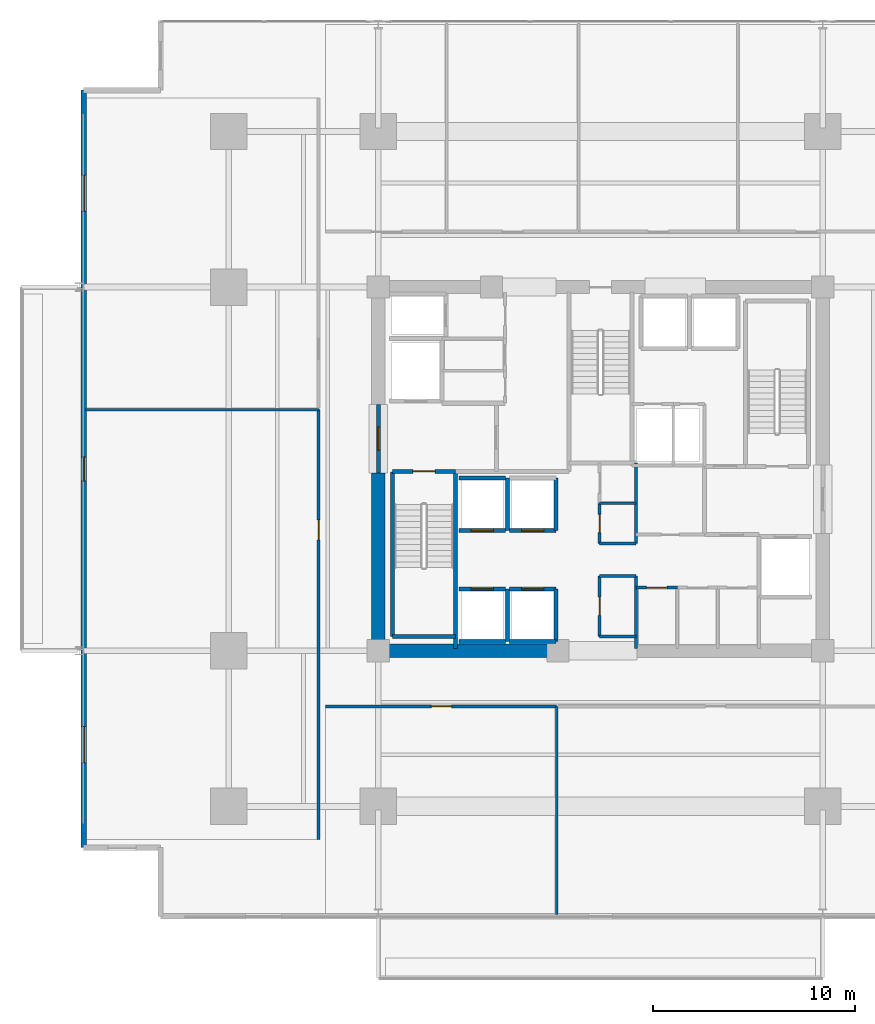
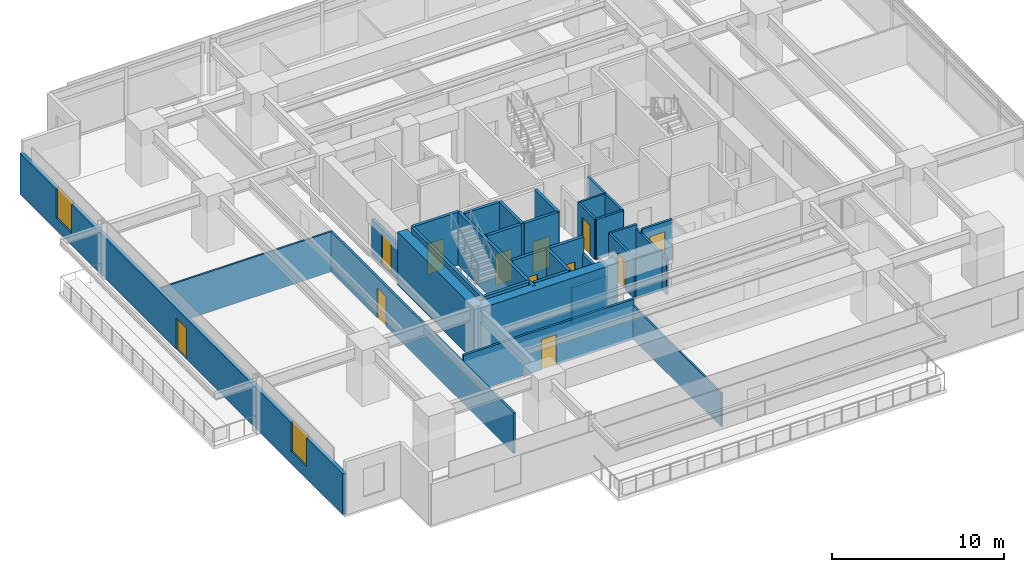
# One storey, part 14 of 22: 32 walls, 12 doors, 2 windows, 14 openings.
"""IFC4 building model written with IfcOpenShell, lengths in metres."""

from ifc_helpers import new_model, si_unit, direction, frame, frame_2d, origin, place, context, subcontext, project, spatial, rectangle, extrude, material, layer, layer_set, type_object, element, fill, save


model = new_model("IFC4")

# Units and contexts
model_context = context("Model", 3, precision=1e-05, world=origin(), true_north=direction((0.0, 1.0)))
body_context = subcontext(model_context, "Body", "Model", "MODEL_VIEW")
ifc_project = project(units=[si_unit("LENGTHUNIT", "METRE"), si_unit("AREAUNIT", "SQUARE_METRE"), si_unit("VOLUMEUNIT", "CUBIC_METRE"), si_unit("PLANEANGLEUNIT", "RADIAN"), si_unit("MASSUNIT", "GRAM", prefix="KILO")], contexts=[model_context])

# Site, building, storey
site_placement = place(None, origin())
site = spatial("IfcSite", under=ifc_project, at=site_placement, CompositionType="ELEMENT")
building_placement = place(site_placement, origin())
building = spatial("IfcBuilding", under=site, at=building_placement, Name="Kovane Verandah Tower", CompositionType="ELEMENT")
storey_placement = place(building_placement, frame((0.0, 0.0, 51.60009765625)))
storey = spatial("IfcBuildingStorey", under=building, at=storey_placement, Name="L11", CompositionType="ELEMENT", Elevation=51.60009765625)

# Walls
ifc_material_1 = material(Name="Fire-Rated Gypsum Stud Partition", Category="gypsum")
ifc_layer_1 = layer(ifc_material_1, 0.14990234375)
ifc_layer_set_1 = layer_set([ifc_layer_1], Name="Fire-Rated Gypsum Stud Partition")
wall_type_1 = type_object("IfcWallType", Name="WL-COR-150", PredefinedType="PARTITIONING", material=ifc_layer_set_1)
for number, where, z_axis, x_axis, name in (
    (1, (39.949951171875, 19.199951171875, 0.0), (0.0, 0.0, 1.0), (1.0, 0.0, 0.0), "L11 Central Core Strip South Wall"),
    (2, (39.949951171875, 22.199951171875, 0.0), (0.0, 0.0, 1.0), (1.0, 0.0, 0.0), "L11 Core Cross-Passage South Wall"),
    (3, (39.949951171875, 23.800048828125, 0.0), (0.0, 0.0, 1.0), (1.0, 0.0, 0.0), "L11 Core Cross-Passage North Wall"),
):
    element("IfcWall", number, at=place(storey_placement, frame(where, z_axis=z_axis, x_axis=x_axis)), inside=storey, type_object=wall_type_1, Name=name, PredefinedType="PARTITIONING", context=body_context, shape_type="SweptSolid", body=[
        extrude(rectangle(XDim=1.81005859375, YDim=0.14990234375, at=frame_2d((0.905029296875, 0.0))), origin(), (0.0, 0.0, 1.0), 2.849853515625),
    ])
wall_1_placement = place(storey_placement, frame((41.760009765625, 18.60009765625, 0.0), z_axis=(0.0, 0.0, 1.0), x_axis=(0.0, 1.0, 0.0)))
element("IfcWall", 4, at=wall_1_placement, inside=storey, type_object=wall_type_1, Name="L11 Central Core Strip Lower East Wall", PredefinedType="PARTITIONING", context=body_context, shape_type="SweptSolid", body=[
    extrude(rectangle(XDim=3.599853515625, YDim=0.14990234375, at=frame_2d((1.7998046875, 0.0))), origin(), (0.0, 0.0, 1.0), 2.539794921875),
])
wall_2_placement = place(storey_placement, frame((41.760009765625, 23.800048828125, 0.0), z_axis=(0.0, 0.0, 1.0), x_axis=(0.0, 1.0, 0.0)))
element("IfcWall", 5, at=wall_2_placement, inside=storey, type_object=wall_type_1, Name="L11 Central Core Strip Upper East Wall", PredefinedType="PARTITIONING", context=body_context, shape_type="SweptSolid", body=[
    extrude(rectangle(XDim=4.0, YDim=0.14990234375, at=frame_2d((2.0, 0.0))), origin(), (0.0, 0.0, 1.0), 2.849853515625),
])

# Wall, opening, door
wall_3_placement = place(storey_placement, frame((39.949951171875, 19.199951171875, 0.0), z_axis=(0.0, 0.0, 1.0), x_axis=(0.0, 1.0, 0.0)))
wall_3 = element("IfcWall", 6, at=wall_3_placement, inside=storey, type_object=wall_type_1, Name="L11 Male Toilet Partition", PredefinedType="PARTITIONING", context=body_context, shape_type="SweptSolid", body=[
    extrude(rectangle(XDim=3.0, YDim=0.14990234375, at=frame_2d((1.5, 0.0))), origin(), (0.0, 0.0, 1.0), 2.849853515625),
])
opening_1_placement = place(wall_3_placement, frame((1.050048828125, 0.0, 0.0)))
opening_1 = element("IfcOpeningElement", 7, at=opening_1_placement, cuts=wall_3, Name="Opening DR-L11-031", PredefinedType="OPENING", context=body_context, shape_type="SweptSolid", body=[
    extrude(rectangle(XDim=0.89990234375, YDim=2.10009765625, at=frame_2d((0.449951171875, 1.050048828125))), frame((0.0, 0.074951171875, 0.0), z_axis=(0.0, -1.0, 0.0), x_axis=(1.0, 0.0, 0.0)), (0.0, 0.0, 1.0), 0.14990234375),
])
ifc_material_2 = material(Name="Moisture-Resistant Laminate Washroom Door", Category="wood")
door_type_1 = type_object("IfcDoorType", Name="DR-WC-900", OperationType="SINGLE_SWING_LEFT", PredefinedType="DOOR", material=ifc_material_2)
door_1_placement = place(opening_1_placement, origin())
door_1 = element("IfcDoor", 8, at=door_1_placement, inside=storey, type_object=door_type_1, Name="L11 Male Toilet Door", OperationType="SINGLE_SWING_LEFT", OverallHeight=2.10009765625, OverallWidth=0.89990234375, PredefinedType="DOOR", context=body_context, shape_type="SweptSolid", body=[
    extrude(rectangle(XDim=0.89990234375, YDim=2.10009765625, at=frame_2d((0.449951171875, 1.050048828125))), frame((0.0, 0.02490234375, 0.0), z_axis=(0.0, -1.0, 0.0), x_axis=(1.0, 0.0, 0.0)), (0.0, 0.0, 1.0), 0.050048828125),
])
fill(opening_1, door_1)

wall_4_placement = place(storey_placement, frame((39.949951171875, 23.800048828125, 0.0), z_axis=(0.0, 0.0, 1.0), x_axis=(0.0, 1.0, 0.0)))
wall_4 = element("IfcWall", 9, at=wall_4_placement, inside=storey, type_object=wall_type_1, Name="L11 Female Toilet Partition", PredefinedType="PARTITIONING", context=body_context, shape_type="SweptSolid", body=[
    extrude(rectangle(XDim=2.0, YDim=0.14990234375, at=frame_2d((1.0, 0.0))), origin(), (0.0, 0.0, 1.0), 2.849853515625),
])
opening_2_placement = place(wall_4_placement, frame((0.550048828125, 0.0, 0.0)))
opening_2 = element("IfcOpeningElement", 10, at=opening_2_placement, cuts=wall_4, Name="Opening DR-L11-030", PredefinedType="OPENING", context=body_context, shape_type="SweptSolid", body=[
    extrude(rectangle(XDim=0.89990234375, YDim=2.10009765625, at=frame_2d((0.449951171875, 1.050048828125))), frame((0.0, 0.074951171875, 0.0), z_axis=(0.0, -1.0, 0.0), x_axis=(1.0, 0.0, 0.0)), (0.0, 0.0, 1.0), 0.14990234375),
])
door_2_placement = place(opening_2_placement, origin())
door_2 = element("IfcDoor", 11, at=door_2_placement, inside=storey, type_object=door_type_1, Name="L11 Female Toilet Door", OperationType="SINGLE_SWING_RIGHT", OverallHeight=2.10009765625, OverallWidth=0.89990234375, PredefinedType="DOOR", context=body_context, shape_type="SweptSolid", body=[
    extrude(rectangle(XDim=0.89990234375, YDim=2.10009765625, at=frame_2d((0.449951171875, 1.050048828125))), frame((0.0, 0.02490234375, 0.0), z_axis=(0.0, -1.0, 0.0), x_axis=(1.0, 0.0, 0.0)), (0.0, 0.0, 1.0), 0.050048828125),
])
fill(opening_2, door_2)

wall_5_placement = place(storey_placement, frame((41.760009765625, 21.6201171875, 0.0), z_axis=(0.0, 0.0, 1.0), x_axis=(1.0, 0.0, 0.0)))
wall_5 = element("IfcWall", 12, at=wall_5_placement, inside=storey, type_object=wall_type_1, Name="L11 Mail and Copy Room Partition", PredefinedType="PARTITIONING", context=body_context, shape_type="SweptSolid", body=[
    extrude(rectangle(XDim=2.0400390625, YDim=0.14990234375, at=frame_2d((1.02001953125, 0.0))), origin(), (0.0, 0.0, 1.0), 2.849853515625),
])
opening_3_placement = place(wall_5_placement, frame((0.52001953125, 0.0, 0.0)))
opening_3 = element("IfcOpeningElement", 13, at=opening_3_placement, cuts=wall_5, Name="Opening DR-L11-016", PredefinedType="OPENING", context=body_context, shape_type="SweptSolid", body=[
    extrude(rectangle(XDim=1.0, YDim=2.14990234375, at=frame_2d((0.5, 1.074951171875))), frame((0.0, 0.074951171875, 0.0), z_axis=(0.0, -1.0, 0.0), x_axis=(1.0, 0.0, 0.0)), (0.0, 0.0, 1.0), 0.14990234375),
])
ifc_material_3 = material(Name="FSC Spotted-Gum Timber Fire-Rated Office Door", Category="wood")
door_type_2 = type_object("IfcDoorType", Name="DR-OFF-1000", OperationType="SINGLE_SWING_LEFT", PredefinedType="DOOR", material=ifc_material_3)
door_3_placement = place(opening_3_placement, origin())
door_3 = element("IfcDoor", 14, at=door_3_placement, inside=storey, type_object=door_type_2, Name="L11 Mail and Copy Room Door", OperationType="SINGLE_SWING_LEFT", OverallHeight=2.14990234375, OverallWidth=1.0, PredefinedType="DOOR", context=body_context, shape_type="SweptSolid", body=[
    extrude(rectangle(XDim=1.0, YDim=2.14990234375, at=frame_2d((0.5, 1.074951171875))), frame((0.0, 0.02490234375, 0.0), z_axis=(0.0, -1.0, 0.0), x_axis=(1.0, 0.0, 0.0)), (0.0, 0.0, 1.0), 0.050048828125),
])
fill(opening_3, door_3)

wall_6_placement = place(storey_placement, frame((26.39990234375, 15.75, 0.0), z_axis=(0.0, 0.0, 1.0), x_axis=(1.0, 0.0, 0.0)))
wall_6 = element("IfcWall", 15, at=wall_6_placement, inside=storey, type_object=wall_type_1, Name="L11 Collaboration Hub S1 Corridor Partition", PredefinedType="PARTITIONING", context=body_context, shape_type="SweptSolid", body=[
    extrude(rectangle(XDim=11.424072265625, YDim=0.14990234375, at=frame_2d((5.7119140625, 0.0))), origin(), (0.0, 0.0, 1.0), 2.849853515625),
])
opening_4_placement = place(wall_6_placement, frame((5.22705078125, 0.0, 0.0)))
opening_4 = element("IfcOpeningElement", 16, at=opening_4_placement, cuts=wall_6, Name="Opening DR-L11-026", PredefinedType="OPENING", context=body_context, shape_type="SweptSolid", body=[
    extrude(rectangle(XDim=1.0, YDim=2.14990234375, at=frame_2d((0.5, 1.074951171875))), frame((0.0, 0.074951171875, 0.0), z_axis=(0.0, -1.0, 0.0), x_axis=(1.0, 0.0, 0.0)), (0.0, 0.0, 1.0), 0.14990234375),
])
door_4_placement = place(opening_4_placement, origin())
door_4 = element("IfcDoor", 17, at=door_4_placement, inside=storey, type_object=door_type_2, Name="L11 Collaboration Hub S1 Entrance Door", OperationType="SINGLE_SWING_LEFT", OverallHeight=2.14990234375, OverallWidth=1.0, PredefinedType="DOOR", context=body_context, shape_type="SweptSolid", body=[
    extrude(rectangle(XDim=1.0, YDim=2.14990234375, at=frame_2d((0.5, 1.074951171875))), frame((0.0, 0.02490234375, 0.0), z_axis=(0.0, -1.0, 0.0), x_axis=(1.0, 0.0, 0.0)), (0.0, 0.0, 1.0), 0.050048828125),
])
fill(opening_4, door_4)

wall_7_placement = place(storey_placement, frame((26.050048828125, 9.15380859375, 0.0), z_axis=(0.0, 0.0, 1.0), x_axis=(0.0, 1.0, 0.0)))
wall_7 = element("IfcWall", 18, at=wall_7_placement, inside=storey, type_object=wall_type_1, Name="L11 Open Plan Office W1 Corridor Partition", PredefinedType="PARTITIONING", context=body_context, shape_type="SweptSolid", body=[
    extrude(rectangle(XDim=21.281494140625, YDim=0.14990234375, at=frame_2d((10.640625, 0.0))), origin(), (0.0, 0.0, 1.0), 2.849853515625),
])
opening_5_placement = place(wall_7_placement, frame((14.828857421875, 0.0, 0.0)))
opening_5 = element("IfcOpeningElement", 19, at=opening_5_placement, cuts=wall_7, Name="Opening DR-L11-032", PredefinedType="OPENING", context=body_context, shape_type="SweptSolid", body=[
    extrude(rectangle(XDim=1.0, YDim=2.14990234375, at=frame_2d((0.5, 1.074951171875))), frame((0.0, 0.074951171875, 0.0), z_axis=(0.0, -1.0, 0.0), x_axis=(1.0, 0.0, 0.0)), (0.0, 0.0, 1.0), 0.14990234375),
])
door_5_placement = place(opening_5_placement, origin())
door_5 = element("IfcDoor", 20, at=door_5_placement, inside=storey, type_object=door_type_2, Name="L11 Open Plan Office W1 Entrance Door", OperationType="SINGLE_SWING_LEFT", OverallHeight=2.14990234375, OverallWidth=1.0, PredefinedType="DOOR", context=body_context, shape_type="SweptSolid", body=[
    extrude(rectangle(XDim=1.0, YDim=2.14990234375, at=frame_2d((0.5, 1.074951171875))), frame((0.0, 0.02490234375, 0.0), z_axis=(0.0, -1.0, 0.0), x_axis=(1.0, 0.0, 0.0)), (0.0, 0.0, 1.0), 0.050048828125),
])
fill(opening_5, door_5)

# Walls
ifc_material_4 = material(Name="Concrete C80/95", Category="concrete")
ifc_layer_2 = layer(ifc_material_4, 0.64990234375)
ifc_layer_set_2 = layer_set([ifc_layer_2], Name="Concrete C80/95")
wall_type_2 = type_object("IfcWallType", Name="WL-CORE-650", PredefinedType="SHEAR", material=ifc_layer_set_2)
wall_8_placement = place(storey_placement, frame((29.0, 18.5, 0.0), z_axis=(0.0, 0.0, 1.0), x_axis=(1.0, 0.0, 0.0)))
element("IfcWall", 21, at=wall_8_placement, inside=storey, type_object=wall_type_2, Name="L11 Core Shear Wall CS-1", PredefinedType="SHEAR", context=body_context, shape_type="SweptSolid", body=[
    extrude(rectangle(XDim=9.199951171875, YDim=0.64990234375, at=frame_2d((4.60009765625, 0.0))), origin(), (0.0, 0.0, 1.0), 3.760009765625),
])
wall_9_placement = place(storey_placement, frame((29.0, 18.5, 0.0), z_axis=(0.0, 0.0, 1.0), x_axis=(0.0, 1.0, 0.0)))
element("IfcWall", 22, at=wall_9_placement, inside=storey, type_object=wall_type_2, Name="L11 Core Shear Wall CW-1", PredefinedType="SHEAR", context=body_context, shape_type="SweptSolid", body=[
    extrude(rectangle(XDim=8.800048828125, YDim=0.64990234375, at=frame_2d((4.39990234375, 0.0))), origin(), (0.0, 0.0, 1.0), 3.760009765625),
])

# Wall, opening, door
ifc_material_5 = material(Name="Concrete C45/55 Fire Wall", Category="concrete")
ifc_layer_3 = layer(ifc_material_5, 0.199951171875)
ifc_layer_set_3 = layer_set([ifc_layer_3], Name="Concrete C45/55 Fire Wall")
wall_type_3 = type_object("IfcWallType", Name="WL-FFL-200", PredefinedType="PARTITIONING", material=ifc_layer_set_3)
wall_10_placement = place(storey_placement, frame((29.0, 27.300048828125, 0.0), z_axis=(0.0, 0.0, 1.0), x_axis=(0.0, 1.0, 0.0)))
wall_10 = element("IfcWall", 23, at=wall_10_placement, inside=storey, type_object=wall_type_3, Name="W-L11-FFLW-OUT", PredefinedType="PARTITIONING", context=body_context, shape_type="SweptSolid", body=[
    extrude(rectangle(XDim=3.39990234375, YDim=0.199951171875, at=frame_2d((1.699951171875, 0.0))), origin(), (0.0, 0.0, 1.0), 2.539794921875),
])
opening_6_placement = place(wall_10_placement, frame((1.125, 0.0, 0.0)))
opening_6 = element("IfcOpeningElement", 24, at=opening_6_placement, cuts=wall_10, Name="Opening DR-L11-007", PredefinedType="OPENING", context=body_context, shape_type="SweptSolid", body=[
    extrude(rectangle(XDim=1.14990234375, YDim=2.199951171875, at=frame_2d((0.574951171875, 1.10009765625))), frame((0.0, 0.10009765625, 0.0), z_axis=(0.0, -1.0, 0.0), x_axis=(1.0, 0.0, 0.0)), (0.0, 0.0, 1.0), 0.199951171875),
])
ifc_material_6 = material(Name="Smoke-Sealed Firefighting Lobby Door", Category="steel")
door_type_3 = type_object("IfcDoorType", Name="DR-FFL-1150", OperationType="SINGLE_SWING_LEFT", PredefinedType="DOOR", material=ifc_material_6)
door_6_placement = place(opening_6_placement, origin())
door_6 = element("IfcDoor", 25, at=door_6_placement, inside=storey, type_object=door_type_3, Name="L11 West Firefighting Lobby Corridor Door", OperationType="SINGLE_SWING_RIGHT", OverallHeight=2.199951171875, OverallWidth=1.14990234375, PredefinedType="DOOR", context=body_context, shape_type="SweptSolid", body=[
    extrude(rectangle(XDim=1.14990234375, YDim=2.199951171875, at=frame_2d((0.574951171875, 1.10009765625))), frame((0.0, 0.02490234375, 0.0), z_axis=(0.0, -1.0, 0.0), x_axis=(1.0, 0.0, 0.0)), (0.0, 0.0, 1.0), 0.050048828125),
])
fill(opening_6, door_6)

# Wall
ifc_material_7 = material(Name="Concrete C45/55 Lift Shaft Wall", Category="concrete")
ifc_layer_4 = layer(ifc_material_7, 0.199951171875)
ifc_layer_set_4 = layer_set([ifc_layer_4], Name="Concrete C45/55 Lift Shaft Wall")
wall_type_4 = type_object("IfcWallType", Name="WL-LIFT-200", PredefinedType="SOLIDWALL", material=ifc_layer_set_4)
wall_11_placement = place(storey_placement, frame((33.0, 18.949951171875, 0.0), z_axis=(0.0, 0.0, 1.0), x_axis=(1.0, 0.0, 0.0)))
element("IfcWall", 26, at=wall_11_placement, inside=storey, type_object=wall_type_4, Name="L11 Lift PL-L1 S Shaft Wall", PredefinedType="SOLIDWALL", context=body_context, shape_type="SweptSolid", body=[
    extrude(rectangle(XDim=2.300048828125, YDim=0.199951171875, at=frame_2d((1.14990234375, 0.0))), origin(), (0.0, 0.0, 1.0), 3.760009765625),
])

# Wall, opening, door
wall_12_placement = place(storey_placement, frame((35.300048828125, 21.550048828125, 0.0), z_axis=(0.0, 0.0, 1.0), x_axis=(-1.0, 0.0, 0.0)))
wall_12 = element("IfcWall", 27, at=wall_12_placement, inside=storey, type_object=wall_type_4, Name="L11 Lift PL-L1 N Shaft Wall", PredefinedType="SOLIDWALL", context=body_context, shape_type="SweptSolid", body=[
    extrude(rectangle(XDim=2.300048828125, YDim=0.199951171875, at=frame_2d((1.14990234375, 0.0))), origin(), (0.0, 0.0, 1.0), 3.760009765625),
])
opening_7_placement = place(wall_12_placement, frame((0.60009765625, 0.0, 0.0)))
opening_7 = element("IfcOpeningElement", 28, at=opening_7_placement, cuts=wall_12, Name="Opening LD-L11-004", PredefinedType="OPENING", context=body_context, shape_type="SweptSolid", body=[
    extrude(rectangle(XDim=1.10009765625, YDim=2.199951171875, at=frame_2d((0.550048828125, 1.10009765625))), frame((0.0, 0.10009765625, 0.0), z_axis=(0.0, -1.0, 0.0), x_axis=(1.0, 0.0, 0.0)), (0.0, 0.0, 1.0), 0.199951171875),
])
ifc_material_8 = material(Name="Brushed Stainless Steel Sliding Lift Landing Door", Category="steel")
door_type_4 = type_object("IfcDoorType", Name="DR-LIFT-1100", OperationType="SLIDING_TO_RIGHT", PredefinedType="DOOR", material=ifc_material_8)
door_7_placement = place(opening_7_placement, origin())
door_7 = element("IfcDoor", 29, at=door_7_placement, inside=storey, type_object=door_type_4, Name="L11 Lift PL-L1 Sliding Landing Door", OperationType="SLIDING_TO_RIGHT", OverallHeight=2.199951171875, OverallWidth=1.10009765625, PredefinedType="DOOR", context=body_context, shape_type="SweptSolid", body=[
    extrude(rectangle(XDim=1.10009765625, YDim=2.199951171875, at=frame_2d((0.550048828125, 1.10009765625))), frame((0.0, 0.02490234375, 0.0), z_axis=(0.0, -1.0, 0.0), x_axis=(1.0, 0.0, 0.0)), (0.0, 0.0, 1.0), 0.050048828125),
])
fill(opening_7, door_7)

# Walls
wall_13_placement = place(storey_placement, frame((35.39990234375, 18.949951171875, 0.0), z_axis=(0.0, 0.0, 1.0), x_axis=(0.0, 1.0, 0.0)))
element("IfcWall", 30, at=wall_13_placement, inside=storey, type_object=wall_type_4, Name="L11 Lift PL-L1 and PL-L2 Shared Shaft Wall", PredefinedType="SOLIDWALL", context=body_context, shape_type="SweptSolid", body=[
    extrude(rectangle(XDim=2.60009765625, YDim=0.199951171875, at=frame_2d((1.300048828125, 0.0))), origin(), (0.0, 0.0, 1.0), 3.760009765625),
])
wall_14_placement = place(storey_placement, frame((35.5, 18.949951171875, 0.0), z_axis=(0.0, 0.0, 1.0), x_axis=(1.0, 0.0, 0.0)))
element("IfcWall", 31, at=wall_14_placement, inside=storey, type_object=wall_type_4, Name="L11 Lift PL-L2 S Shaft Wall", PredefinedType="SOLIDWALL", context=body_context, shape_type="SweptSolid", body=[
    extrude(rectangle(XDim=2.300048828125, YDim=0.199951171875, at=frame_2d((1.14990234375, 0.0))), origin(), (0.0, 0.0, 1.0), 2.539794921875),
])

# Wall, opening, door
wall_15_placement = place(storey_placement, frame((37.800048828125, 21.550048828125, 0.0), z_axis=(0.0, 0.0, 1.0), x_axis=(-1.0, 0.0, 0.0)))
wall_15 = element("IfcWall", 32, at=wall_15_placement, inside=storey, type_object=wall_type_4, Name="L11 Lift PL-L2 N Shaft Wall", PredefinedType="SOLIDWALL", context=body_context, shape_type="SweptSolid", body=[
    extrude(rectangle(XDim=2.300048828125, YDim=0.199951171875, at=frame_2d((1.14990234375, 0.0))), origin(), (0.0, 0.0, 1.0), 3.760009765625),
])
opening_8_placement = place(wall_15_placement, frame((0.60009765625, 0.0, 0.0)))
opening_8 = element("IfcOpeningElement", 33, at=opening_8_placement, cuts=wall_15, Name="Opening LD-L11-005", PredefinedType="OPENING", context=body_context, shape_type="SweptSolid", body=[
    extrude(rectangle(XDim=1.10009765625, YDim=2.199951171875, at=frame_2d((0.550048828125, 1.10009765625))), frame((0.0, 0.10009765625, 0.0), z_axis=(0.0, -1.0, 0.0), x_axis=(1.0, 0.0, 0.0)), (0.0, 0.0, 1.0), 0.199951171875),
])
door_8_placement = place(opening_8_placement, origin())
door_8 = element("IfcDoor", 34, at=door_8_placement, inside=storey, type_object=door_type_4, Name="L11 Lift PL-L2 Sliding Landing Door", OperationType="SLIDING_TO_RIGHT", OverallHeight=2.199951171875, OverallWidth=1.10009765625, PredefinedType="DOOR", context=body_context, shape_type="SweptSolid", body=[
    extrude(rectangle(XDim=1.10009765625, YDim=2.199951171875, at=frame_2d((0.550048828125, 1.10009765625))), frame((0.0, 0.02490234375, 0.0), z_axis=(0.0, -1.0, 0.0), x_axis=(1.0, 0.0, 0.0)), (0.0, 0.0, 1.0), 0.050048828125),
])
fill(opening_8, door_8)

# Wall
wall_16_placement = place(storey_placement, frame((37.800048828125, 18.949951171875, 0.0), z_axis=(0.0, 0.0, 1.0), x_axis=(0.0, 1.0, 0.0)))
element("IfcWall", 35, at=wall_16_placement, inside=storey, type_object=wall_type_4, Name="L11 Lift PL-L2 E Shaft Wall", PredefinedType="SOLIDWALL", context=body_context, shape_type="SweptSolid", body=[
    extrude(rectangle(XDim=2.60009765625, YDim=0.199951171875, at=frame_2d((1.300048828125, 0.0))), origin(), (0.0, 0.0, 1.0), 2.539794921875),
])

# Wall, opening, door
wall_17_placement = place(storey_placement, frame((33.0, 24.449951171875, 0.0), z_axis=(0.0, 0.0, 1.0), x_axis=(1.0, 0.0, 0.0)))
wall_17 = element("IfcWall", 36, at=wall_17_placement, inside=storey, type_object=wall_type_4, Name="L11 Lift PL-L3 S Shaft Wall", PredefinedType="SOLIDWALL", context=body_context, shape_type="SweptSolid", body=[
    extrude(rectangle(XDim=2.300048828125, YDim=0.199951171875, at=frame_2d((1.14990234375, 0.0))), origin(), (0.0, 0.0, 1.0), 3.760009765625),
])
opening_9_placement = place(wall_17_placement, frame((0.60009765625, 0.0, 0.0)))
opening_9 = element("IfcOpeningElement", 37, at=opening_9_placement, cuts=wall_17, Name="Opening LD-L11-006", PredefinedType="OPENING", context=body_context, shape_type="SweptSolid", body=[
    extrude(rectangle(XDim=1.10009765625, YDim=2.199951171875, at=frame_2d((0.550048828125, 1.10009765625))), frame((0.0, 0.10009765625, 0.0), z_axis=(0.0, -1.0, 0.0), x_axis=(1.0, 0.0, 0.0)), (0.0, 0.0, 1.0), 0.199951171875),
])
door_9_placement = place(opening_9_placement, origin())
door_9 = element("IfcDoor", 38, at=door_9_placement, inside=storey, type_object=door_type_4, Name="L11 Lift PL-L3 Sliding Landing Door", OperationType="SLIDING_TO_RIGHT", OverallHeight=2.199951171875, OverallWidth=1.10009765625, PredefinedType="DOOR", context=body_context, shape_type="SweptSolid", body=[
    extrude(rectangle(XDim=1.10009765625, YDim=2.199951171875, at=frame_2d((0.550048828125, 1.10009765625))), frame((0.0, 0.02490234375, 0.0), z_axis=(0.0, -1.0, 0.0), x_axis=(1.0, 0.0, 0.0)), (0.0, 0.0, 1.0), 0.050048828125),
])
fill(opening_9, door_9)

# Walls
wall_18_placement = place(storey_placement, frame((35.300048828125, 27.050048828125, 0.0), z_axis=(0.0, 0.0, 1.0), x_axis=(-1.0, 0.0, 0.0)))
element("IfcWall", 39, at=wall_18_placement, inside=storey, type_object=wall_type_4, Name="L11 Lift PL-L3 N Shaft Wall", PredefinedType="SOLIDWALL", context=body_context, shape_type="SweptSolid", body=[
    extrude(rectangle(XDim=2.300048828125, YDim=0.199951171875, at=frame_2d((1.14990234375, 0.0))), origin(), (0.0, 0.0, 1.0), 3.760009765625),
])
wall_19_placement = place(storey_placement, frame((35.39990234375, 24.449951171875, 0.0), z_axis=(0.0, 0.0, 1.0), x_axis=(0.0, 1.0, 0.0)))
element("IfcWall", 40, at=wall_19_placement, inside=storey, type_object=wall_type_4, Name="L11 Lift PL-L3 and PL-L4 Shared Shaft Wall", PredefinedType="SOLIDWALL", context=body_context, shape_type="SweptSolid", body=[
    extrude(rectangle(XDim=2.60009765625, YDim=0.199951171875, at=frame_2d((1.300048828125, 0.0))), origin(), (0.0, 0.0, 1.0), 3.760009765625),
])

# Wall, opening, door
wall_20_placement = place(storey_placement, frame((35.5, 24.449951171875, 0.0), z_axis=(0.0, 0.0, 1.0), x_axis=(1.0, 0.0, 0.0)))
wall_20 = element("IfcWall", 41, at=wall_20_placement, inside=storey, type_object=wall_type_4, Name="L11 Lift PL-L4 S Shaft Wall", PredefinedType="SOLIDWALL", context=body_context, shape_type="SweptSolid", body=[
    extrude(rectangle(XDim=2.300048828125, YDim=0.199951171875, at=frame_2d((1.14990234375, 0.0))), origin(), (0.0, 0.0, 1.0), 3.760009765625),
])
opening_10_placement = place(wall_20_placement, frame((0.60009765625, 0.0, 0.0)))
opening_10 = element("IfcOpeningElement", 42, at=opening_10_placement, cuts=wall_20, Name="Opening LD-L11-007", PredefinedType="OPENING", context=body_context, shape_type="SweptSolid", body=[
    extrude(rectangle(XDim=1.10009765625, YDim=2.199951171875, at=frame_2d((0.550048828125, 1.10009765625))), frame((0.0, 0.10009765625, 0.0), z_axis=(0.0, -1.0, 0.0), x_axis=(1.0, 0.0, 0.0)), (0.0, 0.0, 1.0), 0.199951171875),
])
door_10_placement = place(opening_10_placement, origin())
door_10 = element("IfcDoor", 43, at=door_10_placement, inside=storey, type_object=door_type_4, Name="L11 Lift PL-L4 Sliding Landing Door", OperationType="SLIDING_TO_RIGHT", OverallHeight=2.199951171875, OverallWidth=1.10009765625, PredefinedType="DOOR", context=body_context, shape_type="SweptSolid", body=[
    extrude(rectangle(XDim=1.10009765625, YDim=2.199951171875, at=frame_2d((0.550048828125, 1.10009765625))), frame((0.0, 0.02490234375, 0.0), z_axis=(0.0, -1.0, 0.0), x_axis=(1.0, 0.0, 0.0)), (0.0, 0.0, 1.0), 0.050048828125),
])
fill(opening_10, door_10)

# Walls
wall_21_placement = place(storey_placement, frame((37.800048828125, 24.449951171875, 0.0), z_axis=(0.0, 0.0, 1.0), x_axis=(0.0, 1.0, 0.0)))
element("IfcWall", 44, at=wall_21_placement, inside=storey, type_object=wall_type_4, Name="L11 Lift PL-L4 E Shaft Wall", PredefinedType="SOLIDWALL", context=body_context, shape_type="SweptSolid", body=[
    extrude(rectangle(XDim=2.60009765625, YDim=0.199951171875, at=frame_2d((1.300048828125, 0.0))), origin(), (0.0, 0.0, 1.0), 3.760009765625),
])
ifc_material_9 = material(Name="Acoustic Fire-Rated Gypsum Partition", Category="gypsum")
ifc_layer_5 = layer(ifc_material_9, 0.1201171875)
ifc_layer_set_5 = layer_set([ifc_layer_5], Name="Acoustic Fire-Rated Gypsum Partition")
wall_type_5 = type_object("IfcWallType", Name="WL-PART-120", PredefinedType="PARTITIONING", material=ifc_layer_set_5)
wall_22_placement = place(storey_placement, frame((39.949951171875, 25.800048828125, 0.0), z_axis=(0.0, 0.0, 1.0), x_axis=(1.0, 0.0, 0.0)))
element("IfcWall", 45, at=wall_22_placement, inside=storey, type_object=wall_type_5, Name="L11 Central Core Strip Upper Dividing Partition", PredefinedType="PARTITIONING", context=body_context, shape_type="SweptSolid", body=[
    extrude(rectangle(XDim=1.81005859375, YDim=0.1201171875, at=frame_2d((0.905029296875, 0.0))), origin(), (0.0, 0.0, 1.0), 2.849853515625),
])
wall_23_placement = place(storey_placement, frame((37.823974609375, 5.453857421875, 0.0), z_axis=(0.0, 0.0, 1.0), x_axis=(0.0, 1.0, 0.0)))
element("IfcWall", 46, at=wall_23_placement, inside=storey, type_object=wall_type_5, Name="L11 Collaboration Hub S1 Dividing Partition", PredefinedType="PARTITIONING", context=body_context, shape_type="SweptSolid", body=[
    extrude(rectangle(XDim=10.296142578125, YDim=0.1201171875, at=frame_2d((5.14794921875, 0.0))), origin(), (0.0, 0.0, 1.0), 2.389892578125),
])
wall_24_placement = place(storey_placement, frame((14.519775390625, 30.435302734375, 0.0), z_axis=(0.0, 0.0, 1.0), x_axis=(1.0, 0.0, 0.0)))
element("IfcWall", 47, at=wall_24_placement, inside=storey, type_object=wall_type_5, Name="L11 Open Plan Office W1 Dividing Partition", PredefinedType="PARTITIONING", context=body_context, shape_type="SweptSolid", body=[
    extrude(rectangle(XDim=11.5302734375, YDim=0.1201171875, at=frame_2d((5.76513671875, 0.0))), origin(), (0.0, 0.0, 1.0), 2.849853515625),
])
ifc_material_10 = material(Name="Concrete C45/55", Category="concrete")
ifc_layer_6 = layer(ifc_material_10, 0.199951171875)
ifc_layer_set_6 = layer_set([ifc_layer_6], Name="Concrete C45/55")
wall_type_6 = type_object("IfcWallType", Name="WL-SHAFT-200", PredefinedType="SOLIDWALL", material=ifc_layer_set_6)
wall_25_placement = place(storey_placement, frame((29.699951171875, 19.199951171875, 0.0), z_axis=(0.0, 0.0, 1.0), x_axis=(0.0, 1.0, 0.0)))
element("IfcWall", 48, at=wall_25_placement, inside=storey, type_object=wall_type_6, Name="W-L11-ST01-W", PredefinedType="SOLIDWALL", context=body_context, shape_type="SweptSolid", body=[
    extrude(rectangle(XDim=8.150146484375, YDim=0.199951171875, at=frame_2d((4.0751953125, 0.0))), origin(), (0.0, 0.0, 1.0), 3.760009765625),
])
wall_26_placement = place(storey_placement, frame((29.699951171875, 19.199951171875, 0.0), z_axis=(0.0, 0.0, 1.0), x_axis=(1.0, 0.0, 0.0)))
element("IfcWall", 49, at=wall_26_placement, inside=storey, type_object=wall_type_6, Name="W-L11-ST01-S", PredefinedType="SOLIDWALL", context=body_context, shape_type="SweptSolid", body=[
    extrude(rectangle(XDim=3.1201171875, YDim=0.199951171875, at=frame_2d((1.56005859375, 0.0))), origin(), (0.0, 0.0, 1.0), 3.760009765625),
])
wall_27_placement = place(storey_placement, frame((32.820068359375, 18.60009765625, 0.0), z_axis=(0.0, 0.0, 1.0), x_axis=(0.0, 1.0, 0.0)))
element("IfcWall", 50, at=wall_27_placement, inside=storey, type_object=wall_type_6, Name="W-L11-ST01-E", PredefinedType="SOLIDWALL", context=body_context, shape_type="SweptSolid", body=[
    extrude(rectangle(XDim=8.77978515625, YDim=0.199951171875, at=frame_2d((4.389892578125, 0.0))), origin(), (0.0, 0.0, 1.0), 3.760009765625),
])

# Wall, opening, door
wall_28_placement = place(storey_placement, frame((29.699951171875, 27.3798828125, 0.0), z_axis=(0.0, 0.0, 1.0), x_axis=(1.0, 0.0, 0.0)))
wall_28 = element("IfcWall", 51, at=wall_28_placement, inside=storey, type_object=wall_type_6, Name="W-L11-ST01-N", PredefinedType="SOLIDWALL", context=body_context, shape_type="SweptSolid", body=[
    extrude(rectangle(XDim=3.1201171875, YDim=0.199951171875, at=frame_2d((1.56005859375, 0.0))), origin(), (0.0, 0.0, 1.0), 3.760009765625),
])
opening_11_placement = place(wall_28_placement, frame((1.010009765625, 0.0, 0.0)))
opening_11 = element("IfcOpeningElement", 52, at=opening_11_placement, cuts=wall_28, Name="Opening DR-L11-009", PredefinedType="OPENING", context=body_context, shape_type="SweptSolid", body=[
    extrude(rectangle(XDim=1.10009765625, YDim=2.14990234375, at=frame_2d((0.550048828125, 1.074951171875))), frame((0.0, 0.10009765625, 0.0), z_axis=(0.0, -1.0, 0.0), x_axis=(1.0, 0.0, 0.0)), (0.0, 0.0, 1.0), 0.199951171875),
])
ifc_material_11 = material(Name="Fire-Rated Steel Exit Door", Category="steel")
door_type_5 = type_object("IfcDoorType", Name="DR-STAIR-1100", OperationType="SINGLE_SWING_LEFT", PredefinedType="DOOR", material=ifc_material_11)
door_11_placement = place(opening_11_placement, origin())
door_11 = element("IfcDoor", 53, at=door_11_placement, inside=storey, type_object=door_type_5, Name="L11 ST-01 Fire Exit Stair Door", OperationType="SINGLE_SWING_RIGHT", OverallHeight=2.14990234375, OverallWidth=1.10009765625, PredefinedType="DOOR", context=body_context, shape_type="SweptSolid", body=[
    extrude(rectangle(XDim=1.10009765625, YDim=2.14990234375, at=frame_2d((0.550048828125, 1.074951171875))), frame((0.0, 0.02490234375, 0.0), z_axis=(0.0, -1.0, 0.0), x_axis=(1.0, 0.0, 0.0)), (0.0, 0.0, 1.0), 0.050048828125),
])
fill(opening_11, door_11)

# Wall, openings, door, windows
ifc_material_12 = material(Name="Concrete C45/55 Insulated Spandrel Wall", Category="concrete")
ifc_layer_7 = layer(ifc_material_12, 0.260009765625)
ifc_layer_set_7 = layer_set([ifc_layer_7], Name="Concrete C45/55 Insulated Spandrel Wall")
wall_type_7 = type_object("IfcWallType", Name="WL-SPANDREL-260", PredefinedType="PARAPET", material=ifc_layer_set_7)
wall_29_placement = place(storey_placement, frame((14.419677734375, 46.24609375, 0.0), z_axis=(0.0, 0.0, 1.0), x_axis=(0.0, -1.0, 0.0)))
wall_29 = element("IfcWall", 54, at=wall_29_placement, inside=storey, type_object=wall_type_7, Name="L11 W Verandah Access Facade Wall", PredefinedType="PARAPET", context=body_context, shape_type="SweptSolid", body=[
    extrude(rectangle(XDim=37.4921875, YDim=0.260009765625, at=frame_2d((18.74609375, 0.0))), origin(), (0.0, 0.0, 1.0), 2.88916015625),
])
opening_12_placement = place(wall_29_placement, frame((4.199951171875, 0.0, 0.85009765625)))
opening_12 = element("IfcOpeningElement", 55, at=opening_12_placement, cuts=wall_29, Name="Opening W-03", PredefinedType="OPENING", context=body_context, shape_type="SweptSolid", body=[
    extrude(rectangle(XDim=1.800048828125, YDim=2.199951171875, at=frame_2d((0.89990234375, 1.10009765625))), frame((0.0, 0.1298828125, 0.0), z_axis=(0.0, -1.0, 0.0), x_axis=(1.0, 0.0, 0.0)), (0.0, 0.0, 1.0), 0.260009765625),
])
opening_13_placement = place(wall_29_placement, frame((18.146240234375, 0.0, 0.0)))
opening_13 = element("IfcOpeningElement", 56, at=opening_13_placement, cuts=wall_29, Name="Opening DR-L11-002", PredefinedType="OPENING", context=body_context, shape_type="SweptSolid", body=[
    extrude(rectangle(XDim=1.199951171875, YDim=2.199951171875, at=frame_2d((0.60009765625, 1.10009765625))), frame((0.0, 0.1298828125, 0.0), z_axis=(0.0, -1.0, 0.0), x_axis=(1.0, 0.0, 0.0)), (0.0, 0.0, 1.0), 0.260009765625),
])
opening_14_placement = place(wall_29_placement, frame((31.492431640625, 0.0, 0.85009765625)))
opening_14 = element("IfcOpeningElement", 57, at=opening_14_placement, cuts=wall_29, Name="Opening W-03", PredefinedType="OPENING", context=body_context, shape_type="SweptSolid", body=[
    extrude(rectangle(XDim=1.800048828125, YDim=2.199951171875, at=frame_2d((0.89990234375, 1.10009765625))), frame((0.0, 0.1298828125, 0.0), z_axis=(0.0, -1.0, 0.0), x_axis=(1.0, 0.0, 0.0)), (0.0, 0.0, 1.0), 0.260009765625),
])
ifc_material_13 = material(Name="Cyclone-Rated Glazed Balcony Leaf Door", Category="aluminium")
door_type_6 = type_object("IfcDoorType", Name="DR-BAL-1200x2200", OperationType="SINGLE_SWING_LEFT", PredefinedType="DOOR", material=ifc_material_13)
door_12_placement = place(opening_13_placement, origin())
door_12 = element("IfcDoor", 58, at=door_12_placement, inside=storey, type_object=door_type_6, Name="L11 W Planted Balcony Access Door", OperationType="SINGLE_SWING_LEFT", OverallHeight=2.199951171875, OverallWidth=1.199951171875, PredefinedType="DOOR", context=body_context, shape_type="SweptSolid", body=[
    extrude(rectangle(XDim=1.199951171875, YDim=2.199951171875, at=frame_2d((0.60009765625, 1.10009765625))), frame((0.0, 0.02490234375, 0.0), z_axis=(0.0, -1.0, 0.0), x_axis=(1.0, 0.0, 0.0)), (0.0, 0.0, 1.0), 0.050048828125),
])
fill(opening_13, door_12)
ifc_material_14 = material(Name="Clear Low-E Laminated Double Glazing in Anodised Frame", Category="glass")
window_type = type_object("IfcWindowType", Name="WN-NOTCH-1800x2200", PartitioningType="SINGLE_PANEL", PredefinedType="WINDOW", material=ifc_material_14)
window_1_placement = place(opening_12_placement, origin())
window_1 = element("IfcWindow", 59, at=window_1_placement, inside=storey, type_object=window_type, Name="L11 W Verandah View Window 1", OverallHeight=2.199951171875, OverallWidth=1.800048828125, PartitioningType="SINGLE_PANEL", PredefinedType="WINDOW", context=body_context, shape_type="SweptSolid", body=[
    extrude(rectangle(XDim=1.800048828125, YDim=2.199951171875, at=frame_2d((0.89990234375, 1.10009765625))), frame((0.0, 0.030029296875, 0.0), z_axis=(0.0, -1.0, 0.0), x_axis=(1.0, 0.0, 0.0)), (0.0, 0.0, 1.0), 0.06005859375),
])
fill(opening_12, window_1)
window_2_placement = place(opening_14_placement, origin())
window_2 = element("IfcWindow", 60, at=window_2_placement, inside=storey, type_object=window_type, Name="L11 W Verandah View Window 2", OverallHeight=2.199951171875, OverallWidth=1.800048828125, PartitioningType="SINGLE_PANEL", PredefinedType="WINDOW", context=body_context, shape_type="SweptSolid", body=[
    extrude(rectangle(XDim=1.800048828125, YDim=2.199951171875, at=frame_2d((0.89990234375, 1.10009765625))), frame((0.0, 0.030029296875, 0.0), z_axis=(0.0, -1.0, 0.0), x_axis=(1.0, 0.0, 0.0)), (0.0, 0.0, 1.0), 0.06005859375),
])
fill(opening_14, window_2)

save(model, "model.ifc")
